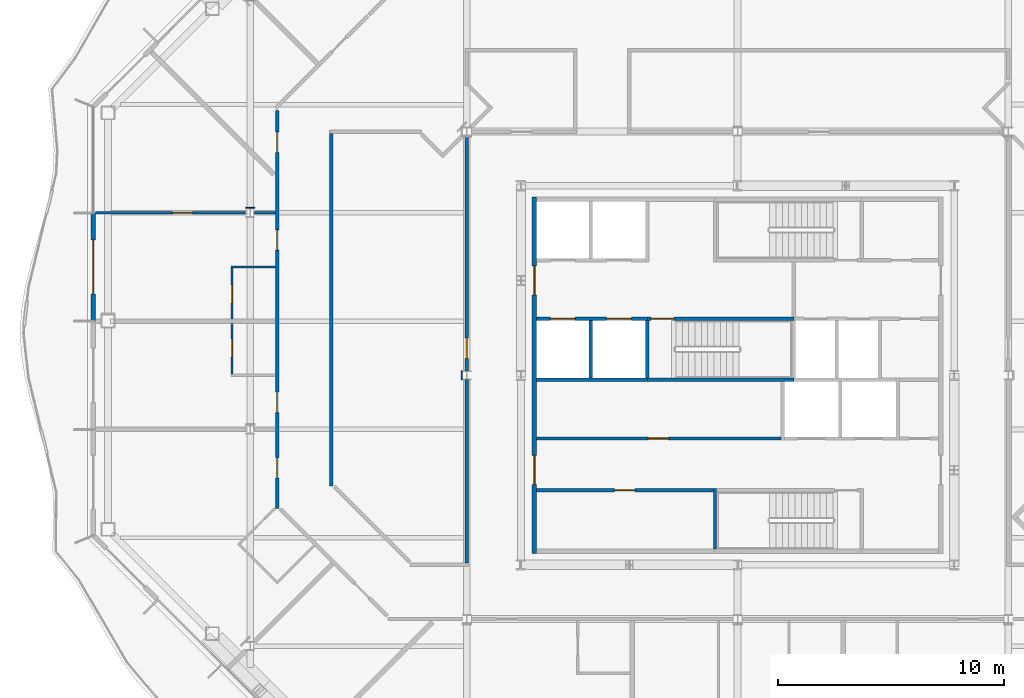
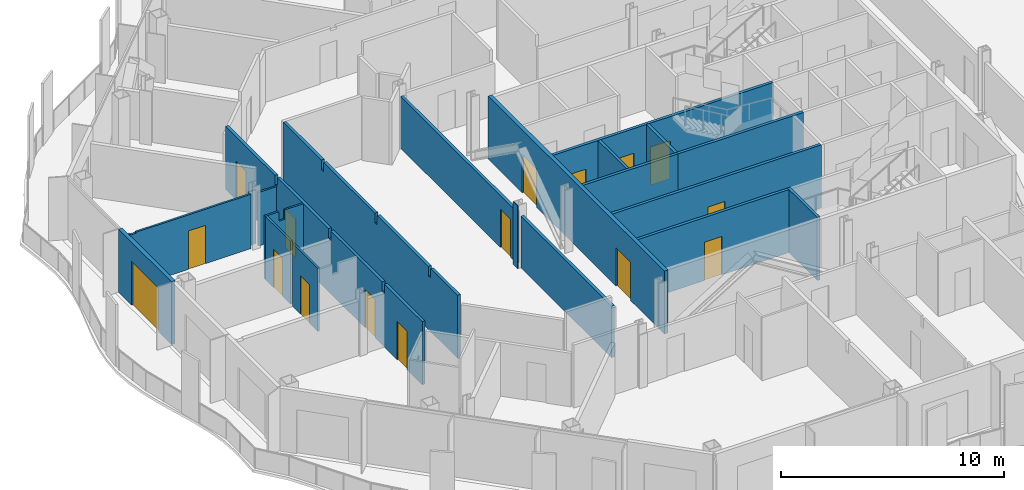
# One storey, part 8 of 21: 22 walls, 16 doors, 16 openings.
"""IFC4 building model written with IfcOpenShell, lengths in metres."""

from ifc_helpers import new_model, si_unit, direction, frame, frame_2d, origin, place, context, subcontext, project, spatial, polyline, rectangle, outline, extrude, material, layer, layer_set, type_object, element, fill, save


model = new_model("IFC4")

# Units and contexts
model_context = context("Model", 3, precision=1e-05, world=origin(), true_north=direction((0.0, 1.0)))
body_context = subcontext(model_context, "Body", "Model", "MODEL_VIEW")
ifc_project = project(units=[si_unit("LENGTHUNIT", "METRE"), si_unit("AREAUNIT", "SQUARE_METRE"), si_unit("VOLUMEUNIT", "CUBIC_METRE"), si_unit("PLANEANGLEUNIT", "RADIAN"), si_unit("MASSUNIT", "GRAM", prefix="KILO")], contexts=[model_context])

# Site, building, storey
site_placement = place(None, origin())
site = spatial("IfcSite", under=ifc_project, at=site_placement, CompositionType="ELEMENT")
building_placement = place(site_placement, origin())
building = spatial("IfcBuilding", under=site, at=building_placement, Name="Cairn Pilgrim Tower", CompositionType="ELEMENT")
storey_placement = place(building_placement, frame((0.0, 0.0, 161.39990234375)))
storey = spatial("IfcBuildingStorey", under=building, at=storey_placement, Name="L40", CompositionType="ELEMENT", Elevation=161.39990234375)

# Wall, opening, door
ifc_material_1 = material(Name="Bronze anodised aluminium insulated sandwich panel with mineral wool fill", Category="aluminium")
ifc_layer_1 = layer(ifc_material_1, 0.199951171875)
ifc_layer_set_1 = layer_set([ifc_layer_1], Name="BRONZE INFILL FRAME WALL 200")
wall_type_1 = type_object("IfcWallType", Name="BRONZE INFILL FRAME WALL 200", PredefinedType="NOTDEFINED", material=ifc_layer_set_1)
wall_1_placement = place(storey_placement, frame((-21.35009765625, 9.570068359375, 0.0), z_axis=(0.0, 0.0, 1.0), x_axis=(0.0, -1.0, 0.0)))
wall_1 = element("IfcWall", 1, at=wall_1_placement, inside=storey, type_object=wall_type_1, Name="Bronze infill frame wall IW-W2", PredefinedType="NOTDEFINED", context=body_context, shape_type="SweptSolid", body=[
    extrude(rectangle(XDim=4.739990234375, YDim=0.199951171875, at=frame_2d((2.3701171875, 0.0))), origin(), (0.0, 0.0, 1.0), 3.4501953125),
])
opening_1_placement = place(wall_1_placement, frame((1.169921875, 0.0, 0.0)))
opening_1 = element("IfcOpeningElement", 2, at=opening_1_placement, cuts=wall_1, Name="Opening 4017B", PredefinedType="OPENING", context=body_context, shape_type="SweptSolid", body=[
    extrude(rectangle(XDim=2.39990234375, YDim=2.39990234375, at=frame_2d((1.199951171875, 1.199951171875))), frame((0.0, 0.10986328125, 0.0), z_axis=(0.0, -1.0, 0.0), x_axis=(1.0, 0.0, 0.0)), (0.0, 0.0, 1.0), 0.219970703125),
])
ifc_material_2 = material(Name="Bronze anodised aluminium frame with tinted low-E glass", Category="aluminium")
door_type_1 = type_object("IfcDoorType", Name="BALCONY SLIDING DOOR 2400x2400", OperationType="DOUBLE_DOOR_SLIDING", PredefinedType="DOOR", material=ifc_material_2)
door_1_placement = place(opening_1_placement, origin())
door_1 = element("IfcDoor", 3, at=door_1_placement, inside=storey, type_object=door_type_1, Name="Balcony sliding door 4017B", OperationType="SINGLE_SWING_LEFT", OverallHeight=2.39990234375, OverallWidth=2.39990234375, PredefinedType="DOOR", context=body_context, shape_type="SweptSolid", body=[
    extrude(rectangle(XDim=2.39990234375, YDim=2.39990234375, at=frame_2d((1.199951171875, 1.199951171875))), frame((0.0, 0.02490234375, 0.0), z_axis=(0.0, -1.0, 0.0), x_axis=(1.0, 0.0, 0.0)), (0.0, 0.0, 1.0), 0.050048828125),
])
fill(opening_1, door_1)

# Wall, openings, doors
ifc_material_3 = material(Name="Concrete C32/40", Category="concrete")
ifc_layer_2 = layer(ifc_material_3, 0.199951171875)
ifc_layer_set_2 = layer_set([ifc_layer_2], Name="CORE OUTER WALL 200 EI 120")
wall_type_2 = type_object("IfcWallType", Name="CORE OUTER WALL 200 EI 120", PredefinedType="SOLIDWALL", material=ifc_layer_set_2)
wall_2_placement = place(storey_placement, frame((-1.800048828125, -5.5, 0.0), z_axis=(0.0, 0.0, 1.0), x_axis=(0.0, 1.0, 0.0)))
wall_2 = element("IfcWall", 4, at=wall_2_placement, inside=storey, type_object=wall_type_2, Name="CW:L40:V13", PredefinedType="SOLIDWALL", context=body_context, shape_type="SweptSolid", body=[
    extrude(rectangle(XDim=15.800048828125, YDim=0.199951171875, at=frame_2d((7.89990234375, 0.0))), origin(), (0.0, 0.0, 1.0), 3.4501953125),
])
opening_2_placement = place(wall_2_placement, frame((3.050048828125, 0.0, 0.0)))
opening_2 = element("IfcOpeningElement", 5, at=opening_2_placement, cuts=wall_2, Name="Opening CD-W1", PredefinedType="OPENING", context=body_context, shape_type="SweptSolid", body=[
    extrude(rectangle(XDim=1.300048828125, YDim=2.10009765625, at=frame_2d((0.64990234375, 1.050048828125))), frame((0.0, 0.10986328125, 0.0), z_axis=(0.0, -1.0, 0.0), x_axis=(1.0, 0.0, 0.0)), (0.0, 0.0, 1.0), 0.219970703125),
])
opening_3_placement = place(wall_2_placement, frame((11.449951171875, 0.0, 0.0)))
opening_3 = element("IfcOpeningElement", 6, at=opening_3_placement, cuts=wall_2, Name="Opening CD-W2", PredefinedType="OPENING", context=body_context, shape_type="SweptSolid", body=[
    extrude(rectangle(XDim=1.300048828125, YDim=2.10009765625, at=frame_2d((0.64990234375, 1.050048828125))), frame((0.0, 0.10986328125, 0.0), z_axis=(0.0, -1.0, 0.0), x_axis=(1.0, 0.0, 0.0)), (0.0, 0.0, 1.0), 0.219970703125),
])
ifc_material_4 = material(Name="Painted steel", Category="steel")
door_type_2 = type_object("IfcDoorType", Name="CORE LOBBY DOOR 1300x2100", OperationType="DOUBLE_DOOR_SINGLE_SWING", PredefinedType="DOOR", material=ifc_material_4)
door_2_placement = place(opening_2_placement, origin())
door_2 = element("IfcDoor", 7, at=door_2_placement, inside=storey, type_object=door_type_2, Name="CD-W1", OperationType="DOUBLE_DOOR_SINGLE_SWING", OverallHeight=2.10009765625, OverallWidth=1.300048828125, PredefinedType="DOOR", context=body_context, shape_type="SweptSolid", body=[
    extrude(rectangle(XDim=1.300048828125, YDim=2.10009765625, at=frame_2d((0.64990234375, 1.050048828125))), frame((0.0, 0.02490234375, 0.0), z_axis=(0.0, -1.0, 0.0), x_axis=(1.0, 0.0, 0.0)), (0.0, 0.0, 1.0), 0.050048828125),
])
fill(opening_2, door_2)
door_3_placement = place(opening_3_placement, origin())
door_3 = element("IfcDoor", 8, at=door_3_placement, inside=storey, type_object=door_type_2, Name="CD-W2", OperationType="DOUBLE_DOOR_SINGLE_SWING", OverallHeight=2.10009765625, OverallWidth=1.300048828125, PredefinedType="DOOR", context=body_context, shape_type="SweptSolid", body=[
    extrude(rectangle(XDim=1.300048828125, YDim=2.10009765625, at=frame_2d((0.64990234375, 1.050048828125))), frame((0.0, 0.02490234375, 0.0), z_axis=(0.0, -1.0, 0.0), x_axis=(1.0, 0.0, 0.0)), (0.0, 0.0, 1.0), 0.050048828125),
])
fill(opening_3, door_3)

# Wall, opening, door
ifc_layer_3 = layer(ifc_material_3, 0.14990234375)
ifc_layer_set_3 = layer_set([ifc_layer_3], Name="CORE PARTITION 150 EI 60")
wall_type_3 = type_object("IfcWallType", Name="CORE PARTITION 150 EI 60", PredefinedType="PARTITIONING", material=ifc_layer_set_3)
wall_3_placement = place(storey_placement, frame((-1.699951171875, -2.699951171875, 0.0), z_axis=(0.0, 0.0, 1.0), x_axis=(1.0, 0.0, 0.0)))
wall_3 = element("IfcWall", 9, at=wall_3_placement, inside=storey, type_object=wall_type_3, Name="CW:L40:H02", PredefinedType="PARTITIONING", context=body_context, shape_type="SweptSolid", body=[
    extrude(rectangle(XDim=7.824951171875, YDim=0.14990234375, at=frame_2d((3.91259765625, 0.0))), origin(), (0.0, 0.0, 1.0), 3.4501953125),
])
opening_4_placement = place(wall_3_placement, frame((3.449951171875, 0.0, 0.0)))
opening_4 = element("IfcOpeningElement", 10, at=opening_4_placement, cuts=wall_3, Name="Opening RD-R1W1", PredefinedType="OPENING", context=body_context, shape_type="SweptSolid", body=[
    extrude(rectangle(XDim=0.89990234375, YDim=2.10009765625, at=frame_2d((0.449951171875, 1.050048828125))), frame((0.0, 0.0849609375, 0.0), z_axis=(0.0, -1.0, 0.0), x_axis=(1.0, 0.0, 0.0)), (0.0, 0.0, 1.0), 0.169921875),
])
door_type_3 = type_object("IfcDoorType", Name="SERVICE ROOM DOOR 900x2100", OperationType="SINGLE_SWING_LEFT", PredefinedType="DOOR", material=ifc_material_4)
door_4_placement = place(opening_4_placement, origin())
door_4 = element("IfcDoor", 11, at=door_4_placement, inside=storey, type_object=door_type_3, Name="RD-R1W1", OperationType="SINGLE_SWING_LEFT", OverallHeight=2.10009765625, OverallWidth=0.89990234375, PredefinedType="DOOR", context=body_context, shape_type="SweptSolid", body=[
    extrude(rectangle(XDim=0.89990234375, YDim=2.10009765625, at=frame_2d((0.449951171875, 1.050048828125))), frame((0.0, 0.02490234375, 0.0), z_axis=(0.0, -1.0, 0.0), x_axis=(1.0, 0.0, 0.0)), (0.0, 0.0, 1.0), 0.050048828125),
])
fill(opening_4, door_4)

wall_4_placement = place(storey_placement, frame((-1.699951171875, -0.39990234375, 0.0), z_axis=(0.0, 0.0, 1.0), x_axis=(1.0, 0.0, 0.0)))
wall_4 = element("IfcWall", 12, at=wall_4_placement, inside=storey, type_object=wall_type_3, Name="CW:L40:H04", PredefinedType="PARTITIONING", context=body_context, shape_type="SweptSolid", body=[
    extrude(rectangle(XDim=10.824951171875, YDim=0.14990234375, at=frame_2d((5.41259765625, 0.0))), origin(), (0.0, 0.0, 1.0), 3.4501953125),
])
opening_5_placement = place(wall_4_placement, frame((4.949951171875, 0.0, 0.0)))
opening_5 = element("IfcOpeningElement", 13, at=opening_5_placement, cuts=wall_4, Name="Opening RD-R2W1", PredefinedType="OPENING", context=body_context, shape_type="SweptSolid", body=[
    extrude(rectangle(XDim=0.89990234375, YDim=2.10009765625, at=frame_2d((0.449951171875, 1.050048828125))), frame((0.0, 0.0849609375, 0.0), z_axis=(0.0, -1.0, 0.0), x_axis=(1.0, 0.0, 0.0)), (0.0, 0.0, 1.0), 0.169921875),
])
door_5_placement = place(opening_5_placement, origin())
door_5 = element("IfcDoor", 14, at=door_5_placement, inside=storey, type_object=door_type_3, Name="RD-R2W1", OperationType="SINGLE_SWING_RIGHT", OverallHeight=2.10009765625, OverallWidth=0.89990234375, PredefinedType="DOOR", context=body_context, shape_type="SweptSolid", body=[
    extrude(rectangle(XDim=0.89990234375, YDim=2.10009765625, at=frame_2d((0.449951171875, 1.050048828125))), frame((0.0, 0.02490234375, 0.0), z_axis=(0.0, -1.0, 0.0), x_axis=(1.0, 0.0, 0.0)), (0.0, 0.0, 1.0), 0.050048828125),
])
fill(opening_5, door_5)

# Wall
ifc_layer_4 = layer(ifc_material_3, 0.14990234375)
ifc_layer_set_4 = layer_set([ifc_layer_4], Name="CORE SHAFT WALL 150 EI 120")
wall_type_4 = type_object("IfcWallType", Name="CORE SHAFT WALL 150 EI 120", PredefinedType="SOLIDWALL", material=ifc_layer_set_4)
wall_5_placement = place(storey_placement, frame((-1.699951171875, 2.199951171875, 0.0), z_axis=(0.0, 0.0, 1.0), x_axis=(1.0, 0.0, 0.0)))
element("IfcWall", 15, at=wall_5_placement, inside=storey, type_object=wall_type_4, Name="CW:L40:H07-1", PredefinedType="SOLIDWALL", context=body_context, shape_type="SweptSolid", body=[
    extrude(rectangle(XDim=4.89990234375, YDim=0.14990234375, at=frame_2d((2.449951171875, 0.0))), origin(), (0.0, 0.0, 1.0), 3.4501953125),
])

# Wall, openings, doors
wall_6_placement = place(storey_placement, frame((-1.699951171875, 4.89990234375, 0.0), z_axis=(0.0, 0.0, 1.0), x_axis=(1.0, 0.0, 0.0)))
wall_6 = element("IfcWall", 16, at=wall_6_placement, inside=storey, type_object=wall_type_4, Name="CW:L40:H09-1", PredefinedType="SOLIDWALL", context=body_context, shape_type="SweptSolid", body=[
    extrude(rectangle(XDim=4.89990234375, YDim=0.14990234375, at=frame_2d((2.449951171875, 0.0))), origin(), (0.0, 0.0, 1.0), 3.4501953125),
])
opening_6_placement = place(wall_6_placement, frame((0.60009765625, 0.0, 0.0)))
opening_6 = element("IfcOpeningElement", 17, at=opening_6_placement, cuts=wall_6, Name="Opening LD-HR1", PredefinedType="OPENING", context=body_context, shape_type="SweptSolid", body=[
    extrude(rectangle(XDim=1.10009765625, YDim=2.10009765625, at=frame_2d((0.550048828125, 1.050048828125))), frame((0.0, 0.0849609375, 0.0), z_axis=(0.0, -1.0, 0.0), x_axis=(1.0, 0.0, 0.0)), (0.0, 0.0, 1.0), 0.169921875),
])
opening_7_placement = place(wall_6_placement, frame((3.10009765625, 0.0, 0.0)))
opening_7 = element("IfcOpeningElement", 18, at=opening_7_placement, cuts=wall_6, Name="Opening LD-HR2", PredefinedType="OPENING", context=body_context, shape_type="SweptSolid", body=[
    extrude(rectangle(XDim=1.10009765625, YDim=2.10009765625, at=frame_2d((0.550048828125, 1.050048828125))), frame((0.0, 0.0849609375, 0.0), z_axis=(0.0, -1.0, 0.0), x_axis=(1.0, 0.0, 0.0)), (0.0, 0.0, 1.0), 0.169921875),
])
ifc_material_5 = material(Name="Stainless steel", Category="steel")
door_type_4 = type_object("IfcDoorType", Name="LIFT LANDING DOOR 1100x2100", OperationType="DOUBLE_DOOR_SLIDING", PredefinedType="DOOR", material=ifc_material_5)
door_6_placement = place(opening_6_placement, origin())
door_6 = element("IfcDoor", 19, at=door_6_placement, inside=storey, type_object=door_type_4, Name="LANDING DOOR HR1", OperationType="DOUBLE_DOOR_SLIDING", OverallHeight=2.10009765625, OverallWidth=1.10009765625, PredefinedType="DOOR", context=body_context, shape_type="SweptSolid", body=[
    extrude(rectangle(XDim=1.10009765625, YDim=2.10009765625, at=frame_2d((0.550048828125, 1.050048828125))), frame((0.0, 0.02490234375, 0.0), z_axis=(0.0, -1.0, 0.0), x_axis=(1.0, 0.0, 0.0)), (0.0, 0.0, 1.0), 0.050048828125),
])
fill(opening_6, door_6)
door_7_placement = place(opening_7_placement, origin())
door_7 = element("IfcDoor", 20, at=door_7_placement, inside=storey, type_object=door_type_4, Name="LANDING DOOR HR2", OperationType="DOUBLE_DOOR_SLIDING", OverallHeight=2.10009765625, OverallWidth=1.10009765625, PredefinedType="DOOR", context=body_context, shape_type="SweptSolid", body=[
    extrude(rectangle(XDim=1.10009765625, YDim=2.10009765625, at=frame_2d((0.550048828125, 1.050048828125))), frame((0.0, 0.02490234375, 0.0), z_axis=(0.0, -1.0, 0.0), x_axis=(1.0, 0.0, 0.0)), (0.0, 0.0, 1.0), 0.050048828125),
])
fill(opening_7, door_7)

# Wall
wall_7_placement = place(storey_placement, frame((0.699951171875, 2.27490234375, 0.0), z_axis=(0.0, 0.0, 1.0), x_axis=(0.0, 1.0, 0.0)))
element("IfcWall", 21, at=wall_7_placement, inside=storey, type_object=wall_type_4, Name="CW:L40:V14", PredefinedType="SOLIDWALL", context=body_context, shape_type="SweptSolid", body=[
    extrude(rectangle(XDim=2.550048828125, YDim=0.14990234375, at=frame_2d((1.27490234375, 0.0))), origin(), (0.0, 0.0, 1.0), 3.4501953125),
])

# Wall, opening, door
ifc_material_6 = material(Name="Gypsum partition")
ifc_layer_5 = layer(ifc_material_6, 0.10009765625)
ifc_layer_set_5 = layer_set([ifc_layer_5], Name="PARTITION 100 DRYWALL")
wall_type_5 = type_object("IfcWallType", Name="PARTITION 100 DRYWALL", PredefinedType="PARTITIONING", material=ifc_layer_set_5)
wall_8_placement = place(storey_placement, frame((-15.199951171875, 2.449951171875, 0.0), z_axis=(0.0, 0.0, 1.0), x_axis=(0.0, 1.0, 0.0)))
wall_8 = element("IfcWall", 22, at=wall_8_placement, inside=storey, type_object=wall_type_5, Name="PARTITION W051", PredefinedType="PARTITIONING", context=body_context, shape_type="SweptSolid", body=[
    extrude(rectangle(XDim=2.25, YDim=0.10009765625, at=frame_2d((1.125, 0.0))), origin(), (0.0, 0.0, 1.0), 3.4501953125),
])
opening_8_placement = place(wall_8_placement, frame((0.75, 0.0, 0.0)))
opening_8 = element("IfcOpeningElement", 23, at=opening_8_placement, cuts=wall_8, Name="Opening 4018A", PredefinedType="OPENING", context=body_context, shape_type="SweptSolid", body=[
    extrude(rectangle(XDim=0.800048828125, YDim=2.10009765625, at=frame_2d((0.39990234375, 1.050048828125))), frame((0.0, 0.06005859375, 0.0), z_axis=(0.0, -1.0, 0.0), x_axis=(1.0, 0.0, 0.0)), (0.0, 0.0, 1.0), 0.1201171875),
])
ifc_material_7 = material(Name="Timber door leaf", Category="wood")
door_type_5 = type_object("IfcDoorType", Name="WC DOOR 800x2100", OperationType="NOTDEFINED", PredefinedType="DOOR", material=ifc_material_7)
door_8_placement = place(opening_8_placement, origin())
door_8 = element("IfcDoor", 24, at=door_8_placement, inside=storey, type_object=door_type_5, Name="DOOR 4018A", OperationType="SINGLE_SWING_LEFT", OverallHeight=2.10009765625, OverallWidth=0.800048828125, PredefinedType="DOOR", context=body_context, shape_type="SweptSolid", body=[
    extrude(rectangle(XDim=0.800048828125, YDim=2.10009765625, at=frame_2d((0.39990234375, 1.050048828125))), frame((0.0, 0.02490234375, 0.0), z_axis=(0.0, -1.0, 0.0), x_axis=(1.0, 0.0, 0.0)), (0.0, 0.0, 1.0), 0.050048828125),
])
fill(opening_8, door_8)

wall_9_placement = place(storey_placement, frame((-15.199951171875, 4.89990234375, 0.0), z_axis=(0.0, 0.0, 1.0), x_axis=(0.0, 1.0, 0.0)))
wall_9 = element("IfcWall", 25, at=wall_9_placement, inside=storey, type_object=wall_type_5, Name="PARTITION W061", PredefinedType="PARTITIONING", context=body_context, shape_type="SweptSolid", body=[
    extrude(rectangle(XDim=2.25, YDim=0.10009765625, at=frame_2d((1.125, 0.0))), origin(), (0.0, 0.0, 1.0), 3.4501953125),
])
opening_9_placement = place(wall_9_placement, frame((0.699951171875, 0.0, 0.0)))
opening_9 = element("IfcOpeningElement", 26, at=opening_9_placement, cuts=wall_9, Name="Opening 4017A", PredefinedType="OPENING", context=body_context, shape_type="SweptSolid", body=[
    extrude(rectangle(XDim=0.800048828125, YDim=2.10009765625, at=frame_2d((0.39990234375, 1.050048828125))), frame((0.0, 0.06005859375, 0.0), z_axis=(0.0, -1.0, 0.0), x_axis=(1.0, 0.0, 0.0)), (0.0, 0.0, 1.0), 0.1201171875),
])
door_9_placement = place(opening_9_placement, origin())
door_9 = element("IfcDoor", 27, at=door_9_placement, inside=storey, type_object=door_type_5, Name="DOOR 4017A", OperationType="SINGLE_SWING_LEFT", OverallHeight=2.10009765625, OverallWidth=0.800048828125, PredefinedType="DOOR", context=body_context, shape_type="SweptSolid", body=[
    extrude(rectangle(XDim=0.800048828125, YDim=2.10009765625, at=frame_2d((0.39990234375, 1.050048828125))), frame((0.0, 0.02490234375, 0.0), z_axis=(0.0, -1.0, 0.0), x_axis=(1.0, 0.0, 0.0)), (0.0, 0.0, 1.0), 0.050048828125),
])
fill(opening_9, door_9)

# Wall
wall_10_placement = place(storey_placement, frame((-15.25, 7.199951171875, 0.0), z_axis=(0.0, 0.0, 1.0), x_axis=(1.0, 0.0, 0.0)))
element("IfcWall", 28, at=wall_10_placement, inside=storey, type_object=wall_type_5, Name="PARTITION W063", PredefinedType="PARTITIONING", context=body_context, shape_type="SweptSolid", body=[
    extrude(outline(polyline([(0.0, 0.0), (1.97509765625, 0.0), (1.97509765625, 3.4501953125), (1.0, 3.4501953125), (0.998046875, 2.93017578125), (0.699951171875, 2.93017578125), (0.697998046875, 3.4501953125), (0.0, 3.4501953125), (0.0, 0.0)])), frame((0.0, 0.050048828125, 0.0), z_axis=(0.0, -1.0, 0.0), x_axis=(1.0, 0.0, 0.0)), (0.0, 0.0, 1.0), 0.10009765625),
])

# Wall, opening, door
wall_11_placement = place(storey_placement, frame((-21.25, 9.60009765625, 0.0), z_axis=(0.0, 0.0, 1.0), x_axis=(1.0, 0.0, 0.0)))
wall_11 = element("IfcWall", 29, at=wall_11_placement, inside=storey, type_object=wall_type_5, Name="PARTITION W065", PredefinedType="PARTITIONING", context=body_context, shape_type="SweptSolid", body=[
    extrude(outline(polyline([(0.0, 0.0), (6.650390625, 0.0), (6.650390625, 2.97998046875), (0.699951171875, 2.97998046875), (0.697998046875, 2.93017578125), (0.39990234375, 2.93017578125), (0.39794921875, 2.97998046875), (0.0, 2.97998046875), (0.0, 0.0)])), frame((0.0, 0.050048828125, 0.0), z_axis=(0.0, -1.0, 0.0), x_axis=(1.0, 0.0, 0.0)), (0.0, 0.0, 1.0), 0.10009765625),
])
opening_10_placement = place(wall_11_placement, frame((3.39990234375, 0.0, 0.0)))
opening_10 = element("IfcOpeningElement", 30, at=opening_10_placement, cuts=wall_11, Name="Opening 4023", PredefinedType="OPENING", context=body_context, shape_type="SweptSolid", body=[
    extrude(rectangle(XDim=0.89990234375, YDim=2.10009765625, at=frame_2d((0.449951171875, 1.050048828125))), frame((0.0, 0.06005859375, 0.0), z_axis=(0.0, -1.0, 0.0), x_axis=(1.0, 0.0, 0.0)), (0.0, 0.0, 1.0), 0.1201171875),
])
door_type_6 = type_object("IfcDoorType", Name="SERVICE DOOR 900x2100", OperationType="NOTDEFINED", PredefinedType="DOOR", material=ifc_material_7)
door_10_placement = place(opening_10_placement, frame((0.89990234375, 0.0, 0.0), z_axis=(0.0, 0.0, 1.0), x_axis=(-1.0, 0.0, 0.0)))
door_10 = element("IfcDoor", 31, at=door_10_placement, inside=storey, type_object=door_type_6, Name="DOOR 4023", OperationType="SINGLE_SWING_LEFT", OverallHeight=2.10009765625, OverallWidth=0.89990234375, PredefinedType="DOOR", context=body_context, shape_type="SweptSolid", body=[
    extrude(rectangle(XDim=0.89990234375, YDim=2.10009765625, at=frame_2d((0.449951171875, 1.050048828125))), frame((0.0, 0.02490234375, 0.0), z_axis=(0.0, -1.0, 0.0), x_axis=(1.0, 0.0, 0.0)), (0.0, 0.0, 1.0), 0.050048828125),
])
fill(opening_10, door_10)

# Walls
wall_12_placement = place(storey_placement, frame((-14.200439453125, 9.60009765625, 0.0), z_axis=(0.0, 0.0, 1.0), x_axis=(1.0, 0.0, 0.0)))
element("IfcWall", 32, at=wall_12_placement, inside=storey, type_object=wall_type_5, Name="PARTITION W066", PredefinedType="PARTITIONING", context=body_context, shape_type="SweptSolid", body=[
    extrude(rectangle(XDim=0.925537109375, YDim=0.10009765625, at=frame_2d((0.462890625, 0.0))), origin(), (0.0, 0.0, 1.0), 2.93017578125),
])
ifc_layer_6 = layer(ifc_material_6, 0.14990234375)
ifc_layer_set_6 = layer_set([ifc_layer_6], Name="PARTITION 150 DRYWALL EI 60")
wall_type_6 = type_object("IfcWallType", Name="PARTITION 150 DRYWALL EI 60", PredefinedType="PARTITIONING", material=ifc_layer_set_6)
wall_13_placement = place(storey_placement, frame((-4.800048828125, -5.925048828125, 0.0), z_axis=(0.0, 0.0, 1.0), x_axis=(0.0, 1.0, 0.0)))
element("IfcWall", 33, at=wall_13_placement, inside=storey, type_object=wall_type_6, Name="PARTITION W034", PredefinedType="PARTITIONING", context=body_context, shape_type="SweptSolid", body=[
    extrude(rectangle(XDim=8.128662109375, YDim=0.14990234375, at=frame_2d((4.064453125, 0.0))), origin(), (0.0, 0.0, 1.0), 2.830078125),
])

# Wall, openings, doors
wall_14_placement = place(storey_placement, frame((-13.199951171875, -3.5, 0.0), z_axis=(0.0, 0.0, 1.0), x_axis=(0.0, 1.0, 0.0)))
wall_14 = element("IfcWall", 34, at=wall_14_placement, inside=storey, type_object=wall_type_6, Name="PARTITION W040", PredefinedType="PARTITIONING", context=body_context, shape_type="SweptSolid", body=[
    extrude(outline(polyline([(0.0, 0.0), (17.634033203125, 0.0), (17.634033203125, 3.4501953125), (13.2001953125, 3.4501953125), (13.197998046875, 2.93017578125), (13.0, 2.93017578125), (12.998046875, 3.4501953125), (8.400146484375, 3.4501953125), (8.398193359375, 2.93017578125), (8.2001953125, 2.93017578125), (8.197998046875, 3.4501953125), (3.60009765625, 3.4501953125), (3.59814453125, 2.93017578125), (3.400146484375, 2.93017578125), (3.398193359375, 3.4501953125), (0.0, 3.4501953125), (0.0, 0.0)])), frame((0.0, 0.074951171875, 0.0), z_axis=(0.0, -1.0, 0.0), x_axis=(1.0, 0.0, 0.0)), (0.0, 0.0, 1.0), 0.14990234375),
])
opening_11_placement = place(wall_14_placement, frame((15.7841796875, 0.0, 0.0)))
opening_11 = element("IfcOpeningElement", 35, at=opening_11_placement, cuts=wall_14, Name="Opening 4016", PredefinedType="OPENING", context=body_context, shape_type="SweptSolid", body=[
    extrude(rectangle(XDim=0.89990234375, YDim=2.10009765625, at=frame_2d((0.449951171875, 1.050048828125))), frame((0.0, 0.0849609375, 0.0), z_axis=(0.0, -1.0, 0.0), x_axis=(1.0, 0.0, 0.0)), (0.0, 0.0, 1.0), 0.169921875),
])
opening_12_placement = place(wall_14_placement, frame((11.449951171875, 0.0, 0.0)))
opening_12 = element("IfcOpeningElement", 36, at=opening_12_placement, cuts=wall_14, Name="Opening 4017", PredefinedType="OPENING", context=body_context, shape_type="SweptSolid", body=[
    extrude(rectangle(XDim=0.89990234375, YDim=2.10009765625, at=frame_2d((0.449951171875, 1.050048828125))), frame((0.0, 0.0849609375, 0.0), z_axis=(0.0, -1.0, 0.0), x_axis=(1.0, 0.0, 0.0)), (0.0, 0.0, 1.0), 0.169921875),
])
opening_13_placement = place(wall_14_placement, frame((4.25, 0.0, 0.0)))
opening_13 = element("IfcOpeningElement", 37, at=opening_13_placement, cuts=wall_14, Name="Opening 4018", PredefinedType="OPENING", context=body_context, shape_type="SweptSolid", body=[
    extrude(rectangle(XDim=0.89990234375, YDim=2.10009765625, at=frame_2d((0.449951171875, 1.050048828125))), frame((0.0, 0.0849609375, 0.0), z_axis=(0.0, -1.0, 0.0), x_axis=(1.0, 0.0, 0.0)), (0.0, 0.0, 1.0), 0.169921875),
])
opening_14_placement = place(wall_14_placement, frame((1.35302734375, 0.0, 0.0)))
opening_14 = element("IfcOpeningElement", 38, at=opening_14_placement, cuts=wall_14, Name="Opening 4019", PredefinedType="OPENING", context=body_context, shape_type="SweptSolid", body=[
    extrude(rectangle(XDim=0.89990234375, YDim=2.10009765625, at=frame_2d((0.449951171875, 1.050048828125))), frame((0.0, 0.0849609375, 0.0), z_axis=(0.0, -1.0, 0.0), x_axis=(1.0, 0.0, 0.0)), (0.0, 0.0, 1.0), 0.169921875),
])
door_type_7 = type_object("IfcDoorType", Name="ROOM DOOR 900x2100 FD30S", OperationType="NOTDEFINED", PredefinedType="DOOR", material=ifc_material_7)
door_11_placement = place(opening_12_placement, origin())
door_11 = element("IfcDoor", 39, at=door_11_placement, inside=storey, type_object=door_type_7, Name="DOOR 4017", OperationType="SINGLE_SWING_LEFT", OverallHeight=2.10009765625, OverallWidth=0.89990234375, PredefinedType="DOOR", context=body_context, shape_type="SweptSolid", body=[
    extrude(rectangle(XDim=0.89990234375, YDim=2.10009765625, at=frame_2d((0.449951171875, 1.050048828125))), frame((0.0, 0.02490234375, 0.0), z_axis=(0.0, -1.0, 0.0), x_axis=(1.0, 0.0, 0.0)), (0.0, 0.0, 1.0), 0.050048828125),
])
fill(opening_12, door_11)
door_12_placement = place(opening_13_placement, origin())
door_12 = element("IfcDoor", 40, at=door_12_placement, inside=storey, type_object=door_type_7, Name="DOOR 4018", OperationType="SINGLE_SWING_LEFT", OverallHeight=2.10009765625, OverallWidth=0.89990234375, PredefinedType="DOOR", context=body_context, shape_type="SweptSolid", body=[
    extrude(rectangle(XDim=0.89990234375, YDim=2.10009765625, at=frame_2d((0.449951171875, 1.050048828125))), frame((0.0, 0.02490234375, 0.0), z_axis=(0.0, -1.0, 0.0), x_axis=(1.0, 0.0, 0.0)), (0.0, 0.0, 1.0), 0.050048828125),
])
fill(opening_13, door_12)
door_13_placement = place(opening_14_placement, origin())
door_13 = element("IfcDoor", 41, at=door_13_placement, inside=storey, type_object=door_type_7, Name="DOOR 4019", OperationType="SINGLE_SWING_LEFT", OverallHeight=2.10009765625, OverallWidth=0.89990234375, PredefinedType="DOOR", context=body_context, shape_type="SweptSolid", body=[
    extrude(rectangle(XDim=0.89990234375, YDim=2.10009765625, at=frame_2d((0.449951171875, 1.050048828125))), frame((0.0, 0.02490234375, 0.0), z_axis=(0.0, -1.0, 0.0), x_axis=(1.0, 0.0, 0.0)), (0.0, 0.0, 1.0), 0.050048828125),
])
fill(opening_14, door_13)
door_type_8 = type_object("IfcDoorType", Name="SERVICE DOOR 900x2100 FD30S", OperationType="NOTDEFINED", PredefinedType="DOOR", material=ifc_material_7)
door_14_placement = place(opening_11_placement, origin())
door_14 = element("IfcDoor", 42, at=door_14_placement, inside=storey, type_object=door_type_8, Name="DOOR 4016", OperationType="SINGLE_SWING_LEFT", OverallHeight=2.10009765625, OverallWidth=0.89990234375, PredefinedType="DOOR", context=body_context, shape_type="SweptSolid", body=[
    extrude(rectangle(XDim=0.89990234375, YDim=2.10009765625, at=frame_2d((0.449951171875, 1.050048828125))), frame((0.0, 0.02490234375, 0.0), z_axis=(0.0, -1.0, 0.0), x_axis=(1.0, 0.0, 0.0)), (0.0, 0.0, 1.0), 0.050048828125),
])
fill(opening_11, door_14)

# Wall
wall_15_placement = place(storey_placement, frame((-10.800048828125, -2.506103515625, 0.0), z_axis=(0.0, 0.0, 1.0), x_axis=(0.0, 1.0, 0.0)))
element("IfcWall", 43, at=wall_15_placement, inside=storey, type_object=wall_type_6, Name="PARTITION W041", PredefinedType="PARTITIONING", context=body_context, shape_type="SweptSolid", body=[
    extrude(outline(polyline([(0.0, 0.0), (15.631103515625, 0.0), (15.631103515625, 3.4501953125), (12.2060546875, 3.4501953125), (12.2041015625, 2.93017578125), (12.006103515625, 2.93017578125), (12.004150390625, 3.4501953125), (7.406005859375, 3.4501953125), (7.404052734375, 2.93017578125), (7.2060546875, 2.93017578125), (7.2041015625, 3.4501953125), (2.606201171875, 3.4501953125), (2.60400390625, 2.93017578125), (2.406005859375, 2.93017578125), (2.404052734375, 3.4501953125), (0.0, 3.4501953125), (0.0, 0.0)])), frame((0.0, 0.074951171875, 0.0), z_axis=(0.0, -1.0, 0.0), x_axis=(1.0, 0.0, 0.0)), (0.0, 0.0, 1.0), 0.14990234375),
])

# Wall, opening, door
wall_16_placement = place(storey_placement, frame((-4.800048828125, 2.596435546875, 0.0), z_axis=(0.0, 0.0, 1.0), x_axis=(0.0, 1.0, 0.0)))
wall_16 = element("IfcWall", 44, at=wall_16_placement, inside=storey, type_object=wall_type_6, Name="PARTITION W054", PredefinedType="PARTITIONING", context=body_context, shape_type="SweptSolid", body=[
    extrude(rectangle(XDim=10.406982421875, YDim=0.14990234375, at=frame_2d((5.20361328125, 0.0))), origin(), (0.0, 0.0, 1.0), 2.830078125),
])
opening_15_placement = place(wall_16_placement, frame((0.553466796875, 0.0, 0.0)))
opening_15 = element("IfcOpeningElement", 45, at=opening_15_placement, cuts=wall_16, Name="Opening 4029", PredefinedType="OPENING", context=body_context, shape_type="SweptSolid", body=[
    extrude(rectangle(XDim=0.89990234375, YDim=2.10009765625, at=frame_2d((0.449951171875, 1.050048828125))), frame((0.0, 0.0849609375, 0.0), z_axis=(0.0, -1.0, 0.0), x_axis=(1.0, 0.0, 0.0)), (0.0, 0.0, 1.0), 0.169921875),
])
door_15_placement = place(opening_15_placement, origin())
door_15 = element("IfcDoor", 46, at=door_15_placement, inside=storey, type_object=door_type_8, Name="DOOR 4029", OperationType="SINGLE_SWING_RIGHT", OverallHeight=2.10009765625, OverallWidth=0.89990234375, PredefinedType="DOOR", context=body_context, shape_type="SweptSolid", body=[
    extrude(rectangle(XDim=0.89990234375, YDim=2.10009765625, at=frame_2d((0.449951171875, 1.050048828125))), frame((0.0, 0.02490234375, 0.0), z_axis=(0.0, -1.0, 0.0), x_axis=(1.0, 0.0, 0.0)), (0.0, 0.0, 1.0), 0.050048828125),
])
fill(opening_15, door_15)

# Walls
ifc_layer_7 = layer(ifc_material_6, 0.050048828125)
ifc_layer_set_7 = layer_set([ifc_layer_7], Name="PARTITION 50 DRYWALL")
wall_type_7 = type_object("IfcWallType", Name="PARTITION 50 DRYWALL", PredefinedType="PARTITIONING", material=ifc_layer_set_7)
wall_17_placement = place(storey_placement, frame((-14.599609375, 9.821533203125, 0.0), z_axis=(0.0, 0.0, 1.0), x_axis=(1.0, 0.0, 0.0)))
element("IfcWall", 47, at=wall_17_placement, inside=storey, type_object=wall_type_7, Name="COLUMN CASING WC21", PredefinedType="PARTITIONING", context=body_context, shape_type="SweptSolid", body=[
    extrude(rectangle(XDim=0.399169921875, YDim=0.050048828125, at=frame_2d((0.19970703125, 0.0))), origin(), (0.0, 0.0, 1.0), 2.93017578125),
])
ifc_layer_8 = layer(ifc_material_6, 0.050048828125)
ifc_layer_set_8 = layer_set([ifc_layer_8], Name="PARTITION 50 DRYWALL EI 60")
wall_type_8 = type_object("IfcWallType", Name="PARTITION 50 DRYWALL EI 60", PredefinedType="PARTITIONING", material=ifc_layer_set_8)
wall_18_placement = place(storey_placement, frame((-5.0244140625, 2.20361328125, 0.0), z_axis=(0.0, 0.0, 1.0), x_axis=(0.0, 1.0, 0.0)))
element("IfcWall", 48, at=wall_18_placement, inside=storey, type_object=wall_type_8, Name="COLUMN CASING WC13", PredefinedType="PARTITIONING", context=body_context, shape_type="SweptSolid", body=[
    extrude(rectangle(XDim=0.392822265625, YDim=0.050048828125, at=frame_2d((0.1962890625, 0.0))), origin(), (0.0, 0.0, 1.0), 3.4501953125),
])
ifc_material_8 = material(Name="Concrete C35/45", Category="concrete")
ifc_layer_9 = layer(ifc_material_8, 0.14990234375)
ifc_layer_set_9 = layer_set([ifc_layer_9], Name="STAIR SHAFT WALL 150 EI 120")
wall_type_9 = type_object("IfcWallType", Name="STAIR SHAFT WALL 150 EI 120", PredefinedType="SOLIDWALL", material=ifc_layer_set_9)
wall_19_placement = place(storey_placement, frame((3.199951171875, 2.199951171875, 0.0), z_axis=(0.0, 0.0, 1.0), x_axis=(1.0, 0.0, 0.0)))
element("IfcWall", 49, at=wall_19_placement, inside=storey, type_object=wall_type_9, Name="CW:L40:H07-2", PredefinedType="SOLIDWALL", context=body_context, shape_type="SweptSolid", body=[
    extrude(rectangle(XDim=6.5, YDim=0.14990234375, at=frame_2d((3.25, 0.0))), origin(), (0.0, 0.0, 1.0), 3.4501953125),
])

# Wall, opening, door
wall_20_placement = place(storey_placement, frame((3.199951171875, 4.89990234375, 0.0), z_axis=(0.0, 0.0, 1.0), x_axis=(1.0, 0.0, 0.0)))
wall_20 = element("IfcWall", 50, at=wall_20_placement, inside=storey, type_object=wall_type_9, Name="CW:L40:H09-2", PredefinedType="SOLIDWALL", context=body_context, shape_type="SweptSolid", body=[
    extrude(rectangle(XDim=6.5, YDim=0.14990234375, at=frame_2d((3.25, 0.0))), origin(), (0.0, 0.0, 1.0), 3.4501953125),
])
opening_16_placement = place(wall_20_placement, frame((0.175048828125, 0.0, 0.0)))
opening_16 = element("IfcOpeningElement", 51, at=opening_16_placement, cuts=wall_20, Name="Opening SD-B", PredefinedType="OPENING", context=body_context, shape_type="SweptSolid", body=[
    extrude(rectangle(XDim=1.0, YDim=2.10009765625, at=frame_2d((0.5, 1.050048828125))), frame((0.0, 0.0849609375, 0.0), z_axis=(0.0, -1.0, 0.0), x_axis=(1.0, 0.0, 0.0)), (0.0, 0.0, 1.0), 0.169921875),
])
door_type_9 = type_object("IfcDoorType", Name="STAIR DOOR FD60S 1000x2100", OperationType="SINGLE_SWING_LEFT", PredefinedType="DOOR", material=ifc_material_4)
door_16_placement = place(opening_16_placement, origin())
door_16 = element("IfcDoor", 52, at=door_16_placement, inside=storey, type_object=door_type_9, Name="SD-B", OperationType="SINGLE_SWING_RIGHT", OverallHeight=2.10009765625, OverallWidth=1.0, PredefinedType="DOOR", context=body_context, shape_type="SweptSolid", body=[
    extrude(rectangle(XDim=1.0, YDim=2.10009765625, at=frame_2d((0.5, 1.050048828125))), frame((0.0, 0.02490234375, 0.0), z_axis=(0.0, -1.0, 0.0), x_axis=(1.0, 0.0, 0.0)), (0.0, 0.0, 1.0), 0.050048828125),
])
fill(opening_16, door_16)

# Walls
wall_21_placement = place(storey_placement, frame((3.199951171875, 2.27490234375, 0.0), z_axis=(0.0, 0.0, 1.0), x_axis=(0.0, 1.0, 0.0)))
element("IfcWall", 53, at=wall_21_placement, inside=storey, type_object=wall_type_9, Name="CW:L40:V16", PredefinedType="SOLIDWALL", context=body_context, shape_type="SweptSolid", body=[
    extrude(rectangle(XDim=2.550048828125, YDim=0.14990234375, at=frame_2d((1.27490234375, 0.0))), origin(), (0.0, 0.0, 1.0), 3.4501953125),
])
wall_22_placement = place(storey_placement, frame((6.199951171875, -5.300048828125, 0.0), z_axis=(0.0, 0.0, 1.0), x_axis=(0.0, 1.0, 0.0)))
element("IfcWall", 54, at=wall_22_placement, inside=storey, type_object=wall_type_9, Name="CW:L40:V18", PredefinedType="SOLIDWALL", context=body_context, shape_type="SweptSolid", body=[
    extrude(rectangle(XDim=2.675048828125, YDim=0.14990234375, at=frame_2d((1.33740234375, 0.0))), origin(), (0.0, 0.0, 1.0), 3.4501953125),
])

save(model, "model.ifc")
